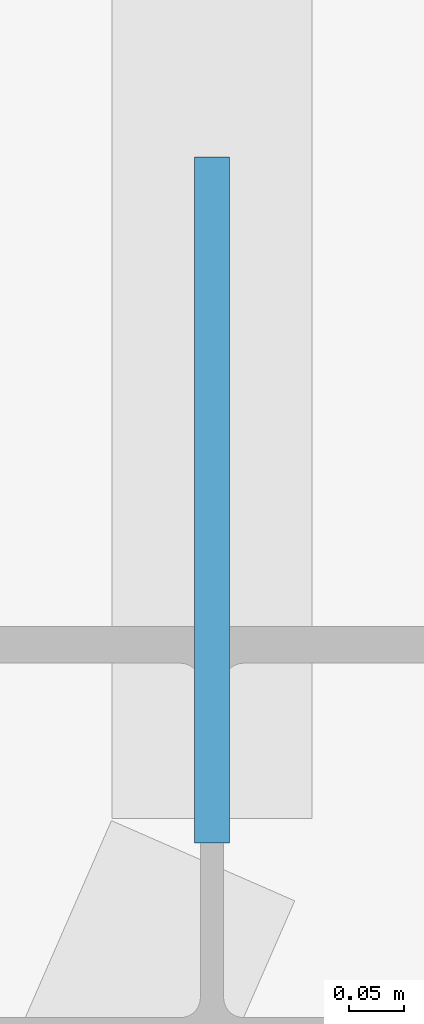
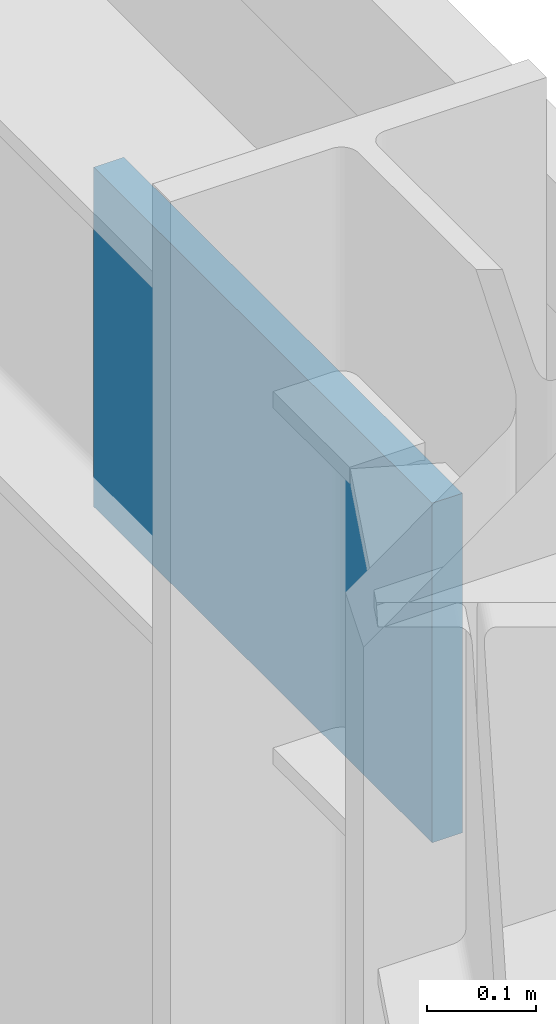
# One storey, part 29 of 36: 1 plate.
"""IFC4 building model written with IfcOpenShell, lengths in metres."""

import ifcopenshell
import ifcopenshell.guid

model = None  # the IFC model being written
_history = None  # IfcOwnerHistory: only IFC2X3 demands one
_inside = {}  # id of a spatial element -> (the spatial element, [elements in it])
_under = {}  # id of a project, library or spatial element -> (it, [spatial elements below it])
_declared = {}  # id of a project -> (the project, [libraries it declares])
_typed = {}  # id of a type object -> (the type object, [elements of that type])
_made_of = {}  # id of a material, layer set ... -> (it, [elements and type objects made of it])


def new_model(schema):
    """Start an empty IFC model of exactly this schema.

    Asked for "IFC4X3", IfcOpenShell would pick the latest addendum, in which some entities
    have other attributes; the version numbers below select the first issue.
    IFC2X3 requires an IfcOwnerHistory on every rooted entity: one is made here for all.
    """
    global model, _history
    if schema == "IFC4X3":
        model = ifcopenshell.file(schema_version=(4, 3, 0, 0))
    else:
        model = ifcopenshell.file(schema=schema)
    _inside.clear()
    _under.clear()
    _declared.clear()
    _typed.clear()
    _made_of.clear()
    _history = None
    if model.schema == "IFC2X3":
        org = make("IfcOrganization", Name="unknown")
        user = make(
            "IfcPersonAndOrganization",
            ThePerson=make("IfcPerson", FamilyName="unknown"),
            TheOrganization=org,
        )
        app = make(
            "IfcApplication",
            ApplicationDeveloper=org,
            Version="unknown",
            ApplicationFullName="unknown",
            ApplicationIdentifier="unknown",
        )
        _history = make(
            "IfcOwnerHistory",
            OwningUser=user,
            OwningApplication=app,
            ChangeAction="ADDED",
            CreationDate=0,
        )
    return model


def make(cls, **values):
    """One entity of the class cls with the attributes given. An attribute that is None is left unset."""
    return model.create_entity(
        cls, **{name: value for name, value in values.items() if value is not None}
    )


def rooted(cls, **values):
    """An entity with a GlobalId (a new one), such as an element, a storey or a relation."""
    return make(cls, GlobalId=ifcopenshell.guid.new(), OwnerHistory=_history, **values)


def si_unit(unit_type, name, prefix=None):
    """IfcSIUnit, for example si_unit("LENGTHUNIT", "METRE", prefix="MILLI")."""
    return make("IfcSIUnit", UnitType=unit_type, Prefix=prefix, Name=name)


def assignment(units):
    """IfcUnitAssignment: the units of a project."""
    return None if units is None else make("IfcUnitAssignment", Units=units)


def point(xyz):
    """IfcCartesianPoint."""
    return None if xyz is None else make("IfcCartesianPoint", Coordinates=xyz)


def direction(xyz):
    """IfcDirection."""
    return None if xyz is None else make("IfcDirection", DirectionRatios=xyz)


def frame(location, z_axis=None, x_axis=None):
    """IfcAxis2Placement3D, a coordinate frame: its origin and axes. An axis left out is left unset."""
    return make(
        "IfcAxis2Placement3D",
        Location=point(location),
        Axis=direction(z_axis),
        RefDirection=direction(x_axis),
    )


def frame_2d(location, x_axis=None):
    """IfcAxis2Placement2D, a coordinate frame in the plane: its origin and x axis."""
    return make(
        "IfcAxis2Placement2D", Location=point(location), RefDirection=direction(x_axis)
    )


def origin():
    """The frame at (0, 0, 0) with its axes left unset."""
    return frame((0.0, 0.0, 0.0))


def origin_2d():
    """The frame at (0, 0) in the plane with its x axis left unset."""
    return frame_2d((0.0, 0.0))


def place(relative_to, where):
    """IfcLocalPlacement: puts the frame where relative to a parent placement (None: the world)."""
    return make(
        "IfcLocalPlacement", PlacementRelTo=relative_to, RelativePlacement=where
    )


def context(
    kind, dimensions, precision=None, world=None, true_north=None, identifier=None
):
    """IfcGeometricRepresentationContext, for example the 3D "Model" context."""
    return make(
        "IfcGeometricRepresentationContext",
        ContextIdentifier=identifier,
        ContextType=kind,
        CoordinateSpaceDimension=dimensions,
        Precision=precision,
        WorldCoordinateSystem=world,
        TrueNorth=true_north,
    )


def subcontext(parent, identifier, kind, view, scale=None):
    """IfcGeometricRepresentationSubContext, for example "Body" below "Model"."""
    return make(
        "IfcGeometricRepresentationSubContext",
        ContextIdentifier=identifier,
        ContextType=kind,
        ParentContext=parent,
        TargetScale=scale,
        TargetView=view,
    )


def project(units=None, contexts=None):
    """IfcProject with its units and contexts."""
    return rooted(
        "IfcProject",
        Name="project",
        RepresentationContexts=contexts,
        UnitsInContext=assignment(units),
    )


def spatial(cls, under=None, at=None, **own):
    """A site, building, storey or space (cls), placed at a placement, below another one or the project."""
    s = rooted(cls, ObjectPlacement=at, **own)
    if under is not None:
        _under.setdefault(under.id(), (under, []))[1].append(s)
    return s


def profile(cls, at=None, kind="AREA", **sizes):
    """A parametric profile (cls). Its sizes go by their IFC names, for example OverallWidth=200.0."""
    return make(cls, ProfileType=kind, Position=at, **sizes)


def rectangle(**sizes):
    """IfcRectangleProfileDef."""
    return profile("IfcRectangleProfileDef", **sizes)


def extrude(swept, where, along, depth):
    """IfcExtrudedAreaSolid: the profile swept, set in the frame where, extruded along a direction by depth."""
    return make(
        "IfcExtrudedAreaSolid",
        SweptArea=swept,
        Position=where,
        ExtrudedDirection=direction(along),
        Depth=depth,
    )


def shape(context_of_items, identifier, shape_type, items):
    """IfcShapeRepresentation: the items that make up one representation, for example the "Body"."""
    return make(
        "IfcShapeRepresentation",
        ContextOfItems=context_of_items,
        RepresentationIdentifier=identifier,
        RepresentationType=shape_type,
        Items=items,
    )


def source(mapping_origin, context_of_items, identifier, shape_type, items):
    """IfcRepresentationMap: a shape defined once, which mapped items show again and again."""
    return make(
        "IfcRepresentationMap",
        MappingOrigin=mapping_origin,
        MappedRepresentation=shape(context_of_items, identifier, shape_type, items),
    )


def transform(
    local_origin,
    x_axis=None,
    y_axis=None,
    z_axis=None,
    scale=None,
    scale2=None,
    scale3=None,
    uniform=True,
):
    """IfcCartesianTransformationOperator3D, or its non-uniform kind. x_axis, y_axis, z_axis: its Axis1, 2, 3."""
    if uniform:
        return make(
            "IfcCartesianTransformationOperator3D",
            Axis1=direction(x_axis),
            Axis2=direction(y_axis),
            LocalOrigin=point(local_origin),
            Scale=scale,
            Axis3=direction(z_axis),
        )
    return make(
        "IfcCartesianTransformationOperator3DnonUniform",
        Axis1=direction(x_axis),
        Axis2=direction(y_axis),
        LocalOrigin=point(local_origin),
        Scale=scale,
        Axis3=direction(z_axis),
        Scale2=scale2,
        Scale3=scale3,
    )


def mapped(mapping_source, mapping_target):
    """IfcMappedItem: shows the shape of a source again, moved by a transform."""
    return make(
        "IfcMappedItem", MappingSource=mapping_source, MappingTarget=mapping_target
    )


def material(Name=None, Category=None):
    """IfcMaterial."""
    return make("IfcMaterial", Name=Name, Category=Category)


def layer(
    of_material, thickness, ventilated=None, Name=None, Category=None, Priority=None
):
    """IfcMaterialLayer: one layer of a wall or slab, of a material (None: an air gap)."""
    return make(
        "IfcMaterialLayer",
        Material=of_material,
        LayerThickness=thickness,
        IsVentilated=ventilated,
        Name=Name,
        Category=Category,
        Priority=Priority,
    )


def layer_set(layers, Name=None):
    """IfcMaterialLayerSet."""
    return make("IfcMaterialLayerSet", MaterialLayers=layers, LayerSetName=Name)


def made_of(thing, what):
    """Note that an element or type object is made of a material, layer set ...; save() writes the relation."""
    if what is not None:
        _made_of.setdefault(what.id(), (what, []))[1].append(thing)
    return thing


def type_object(cls, material=None, **own):
    """A type object (cls), such as IfcWallType, which elements share."""
    return made_of(rooted(cls, **own), material)


def type_shapes(of_type, sources):
    """Give a type object the sources (RepresentationMaps) that its elements show as mapped items."""
    of_type.RepresentationMaps = sources


def element(
    cls,
    number,
    at=None,
    inside=None,
    cuts=None,
    type_object=None,
    material=None,
    context=None,
    identifier="Body",
    shape_type=None,
    held_by="IfcProductDefinitionShape",
    body=None,
    shapes=None,
    **own,
):
    """One element of the class cls, such as IfcWall. Its Tag is "e" and its number.

    at: its placement. inside: the storey or other place that contains it. cuts: it is an
    opening in that element (IfcRelVoidsElement). A single representation is given by context,
    identifier, shape_type and body (its items); several are given by shapes. held_by: the class
    of the entity that holds the representations. save() writes the other relations.
    """
    e = rooted(cls, Tag="e%d" % number, ObjectPlacement=at, **own)
    if body is not None:
        shapes = [shape(context, identifier, shape_type, body)]
    if shapes is not None:
        e.Representation = make(held_by, Representations=shapes)
    if inside is not None:
        _inside.setdefault(inside.id(), (inside, []))[1].append(e)
    if cuts is not None:
        rooted(
            "IfcRelVoidsElement", RelatingBuildingElement=cuts, RelatedOpeningElement=e
        )
    if type_object is not None:
        _typed.setdefault(type_object.id(), (type_object, []))[1].append(e)
    return made_of(e, material)


def aggregate(whole, parts):
    """IfcRelAggregates: a whole, such as a stair, and the parts it consists of."""
    return rooted("IfcRelAggregates", RelatingObject=whole, RelatedObjects=parts)


def save(model, path):
    """Write the relations noted so far, then the file.

    IfcRelAggregates (storeys below a building ...), IfcRelContainedInSpatialStructure (elements
    in a storey), IfcRelDefinesByType, IfcRelAssociatesMaterial and IfcRelDeclares: one each for
    every whole, place, type object, material and project.
    """
    for whole, parts in _under.values():
        aggregate(whole, parts)
    for where, things in _inside.values():
        rooted(
            "IfcRelContainedInSpatialStructure",
            RelatedElements=things,
            RelatingStructure=where,
        )
    for kind, things in _typed.values():
        rooted("IfcRelDefinesByType", RelatedObjects=things, RelatingType=kind)
    for what, things in _made_of.values():
        rooted("IfcRelAssociatesMaterial", RelatedObjects=things, RelatingMaterial=what)
    for by, libraries in _declared.values():
        rooted("IfcRelDeclares", RelatingContext=by, RelatedDefinitions=libraries)
    model.write(path)


model = new_model("IFC4")

# Units and contexts
model_context = context("Model", 3, precision=1e-05, world=origin(), true_north=direction((0.0, 1.0)))
body_context = subcontext(model_context, "Body", "Model", "MODEL_VIEW")
ifc_project = project(units=[si_unit("LENGTHUNIT", "METRE"), si_unit("AREAUNIT", "SQUARE_METRE"), si_unit("VOLUMEUNIT", "CUBIC_METRE"), si_unit("PLANEANGLEUNIT", "RADIAN"), si_unit("MASSUNIT", "GRAM", prefix="KILO")], contexts=[model_context])

# Site, building, storey
site_placement = place(None, origin())
site = spatial("IfcSite", under=ifc_project, at=site_placement, CompositionType="ELEMENT")
building_placement = place(site_placement, origin())
building = spatial("IfcBuilding", under=site, at=building_placement, Name="Varnel Quay Broadcast Tower", CompositionType="ELEMENT")
storey_placement = place(building_placement, frame((0.0, 0.0, 114.39990234375)))
storey = spatial("IfcBuildingStorey", under=building, at=storey_placement, Name="L27", CompositionType="ELEMENT", Elevation=114.39990234375)

# Plate
ifc_material = material(Name="Structural Steel CSA G40.21 350WT", Category="steel")
ifc_layer = layer(ifc_material, 0.031982421875, Name="Structural Steel CSA G40.21 350WT")
ifc_layer_set = layer_set([ifc_layer], Name="Structural Steel CSA G40.21 350WT")
plate_type = type_object("IfcPlateType", Name="Plate_EndCap", PredefinedType="USERDEFINED", material=ifc_layer_set)
shared_shape = source(origin(), body_context, "Body", "SweptSolid", [
    extrude(rectangle(XDim=0.6201171875, YDim=0.031982421875, at=origin_2d()), origin(), (0.0, 0.0, 1.0), 0.3798828125),
])
type_shapes(plate_type, [shared_shape])
plate_placement = place(storey_placement, frame((63.050048828125, 15.307861328125, 3.117431640625), z_axis=(0.0, 0.0, 1.0), x_axis=(0.0, 1.0, 0.0)))
element("IfcPlate", 1, at=plate_placement, inside=storey, type_object=plate_type, Name="Zone 2 Mega-Brace E-FT2 Diag B2 End Connection Plate P1", ObjectType="CAP_PLATE", PredefinedType="USERDEFINED", context=body_context, shape_type="MappedRepresentation", body=[
    mapped(shared_shape, transform((0.0, 0.0, 0.0), x_axis=(1.0, 0.0, 0.0), y_axis=(0.0, 1.0, 0.0), z_axis=(0.0, 0.0, 1.0), scale=1.0)),
])

save(model, "model.ifc")
